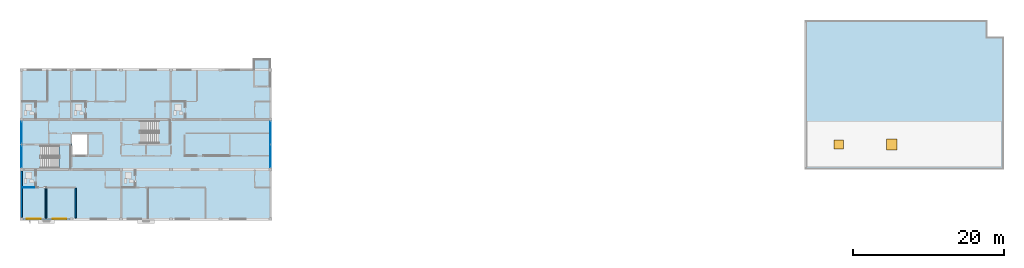
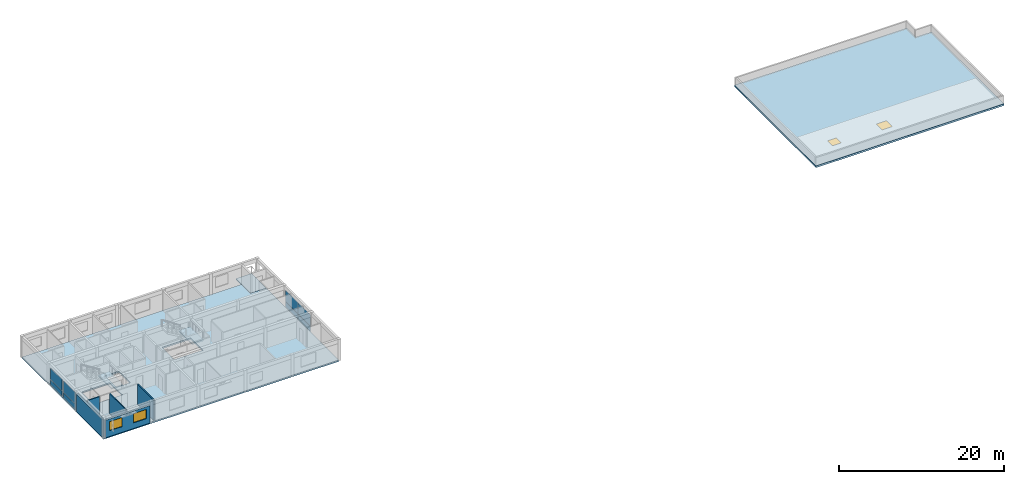
# One storey, part 7 of 15: 8 plates, 5 slabs, 5 walls, 4 windows, 4 openings, 5 elements without a shape of their own.
"""IFC4 building model written with IfcOpenShell, lengths in metres."""

from ifc_helpers import new_model, si_unit, direction, frame, frame_2d, origin, origin_2d, place, context, subcontext, project, spatial, polyline, rectangle, outline, extrude, material, layer, layer_set, type_object, element, fill, aggregate, save


model = new_model("IFC4")

# Units and contexts
model_context = context("Model", 3, precision=1e-05, world=origin(), true_north=direction((0.0, 1.0)))
body_context = subcontext(model_context, "Body", "Model", "MODEL_VIEW")
ifc_project = project(units=[si_unit("LENGTHUNIT", "METRE"), si_unit("AREAUNIT", "SQUARE_METRE"), si_unit("VOLUMEUNIT", "CUBIC_METRE"), si_unit("PLANEANGLEUNIT", "RADIAN"), si_unit("MASSUNIT", "GRAM", prefix="KILO")], contexts=[model_context])

# Site, building, storey
site_placement = place(None, origin())
site = spatial("IfcSite", under=ifc_project, at=site_placement, CompositionType="ELEMENT")
building_placement = place(site_placement, origin())
building = spatial("IfcBuilding", under=site, at=building_placement, Name="Kernevlak Ridge Housing Community", CompositionType="ELEMENT")
storey_placement = place(building_placement, frame((0.0, 0.0, 50.0)))
storey = spatial("IfcBuildingStorey", under=building, at=storey_placement, Name="L15", CompositionType="ELEMENT", Elevation=50.0)

# Curtain wall, plate
ifc_material_1 = material(Name="Aluminium EN AW-6060 anodised and laminated glass", Category="aluminium")
curtain_wall_type_1 = type_object("IfcCurtainWallType", Name="CW-01", PredefinedType="NOTDEFINED", material=ifc_material_1)
curtain_wall_1_placement = place(storey_placement, origin())
curtain_wall_1 = element("IfcCurtainWall", 1, at=curtain_wall_1_placement, inside=storey, type_object=curtain_wall_type_1, Name="Curtain wall CW-01 CW-L15-046", PredefinedType="NOTDEFINED")
ifc_material_2 = material(Name="Solar-control double glazing glass", Category="glass")
ifc_layer_1 = layer(ifc_material_2, 0.02392578125, Name="Solar-control double glazing glass")
ifc_layer_set_1 = layer_set([ifc_layer_1], Name="Solar-control double glazing glass")
plate_type_1 = type_object("IfcPlateType", Name="CP-01", PredefinedType="CURTAIN_PANEL", material=ifc_layer_set_1)
plate_1_placement = place(storey_placement, frame((15.60009765625, 84.294921875, 0.8798828125), z_axis=(0.0, 0.0, 1.0), x_axis=(0.0, 1.0, 0.0)))
plate_1 = element("IfcPlate", 2, at=plate_1_placement, type_object=plate_type_1, Name="CW-01 panel 1.2", PredefinedType="CURTAIN_PANEL", context=body_context, shape_type="SweptSolid", body=[
    extrude(rectangle(XDim=2.8701171875, YDim=0.02392578125, at=origin_2d()), origin(), (0.0, 0.0, 1.0), 1.659912109375),
])

curtain_wall_type_2 = type_object("IfcCurtainWallType", Name="CW-07", PredefinedType="NOTDEFINED", material=ifc_material_1)
curtain_wall_2_placement = place(storey_placement, origin())
curtain_wall_2 = element("IfcCurtainWall", 3, at=curtain_wall_2_placement, inside=storey, type_object=curtain_wall_type_2, Name="Curtain wall CW-07 CW-L15-047", PredefinedType="NOTDEFINED")
plate_2_placement = place(storey_placement, frame((15.60009765625, 87.5048828125, 0.88232421875), z_axis=(0.0, 0.0, 1.0), x_axis=(0.0, 1.0, 0.0)))
plate_2 = element("IfcPlate", 4, at=plate_2_placement, type_object=plate_type_1, Name="CW-07 panel 1.2", PredefinedType="CURTAIN_PANEL", context=body_context, shape_type="SweptSolid", body=[
    extrude(rectangle(XDim=2.860107421875, YDim=0.02392578125, at=origin_2d()), origin(), (0.0, 0.0, 1.0), 1.652587890625),
])

# Curtain wall, plates
curtain_wall_type_3 = type_object("IfcCurtainWallType", Name="CW-09", PredefinedType="NOTDEFINED", material=ifc_material_1)
curtain_wall_3_placement = place(storey_placement, origin())
curtain_wall_3 = element("IfcCurtainWall", 5, at=curtain_wall_3_placement, inside=storey, type_object=curtain_wall_type_3, Name="Curtain wall CW-09 CW-L15-048", PredefinedType="NOTDEFINED")
plate_3_placement = place(storey_placement, frame((48.60009765625, 84.36376953125, 0.87744140625), z_axis=(0.0, 0.0, 1.0), x_axis=(0.0, 1.0, 0.0)))
plate_3 = element("IfcPlate", 6, at=plate_3_placement, type_object=plate_type_1, Name="CW-09 panel 1.2", PredefinedType="CURTAIN_PANEL", context=body_context, shape_type="SweptSolid", body=[
    extrude(rectangle(XDim=3.017578125, YDim=0.02392578125, at=origin_2d()), origin(), (0.0, 0.0, 1.0), 1.66748046875),
])
plate_4_placement = place(storey_placement, frame((48.60009765625, 87.436279296875, 0.87744140625), z_axis=(0.0, 0.0, 1.0), x_axis=(0.0, 1.0, 0.0)))
plate_4 = element("IfcPlate", 7, at=plate_4_placement, type_object=plate_type_1, Name="CW-09 panel 2.2", PredefinedType="CURTAIN_PANEL", context=body_context, shape_type="SweptSolid", body=[
    extrude(rectangle(XDim=3.017578125, YDim=0.02392578125, at=origin_2d()), origin(), (0.0, 0.0, 1.0), 1.66748046875),
])

# Plate
ifc_material_3 = material(Name="Aluminium EN AW-5005 enamelled panel", Category="aluminium")
ifc_layer_2 = layer(ifc_material_3, 0.0380859375, Name="Aluminium EN AW-5005 enamelled panel")
ifc_layer_set_2 = layer_set([ifc_layer_2], Name="Aluminium EN AW-5005 enamelled panel")
plate_type_2 = type_object("IfcPlateType", Name="CP-04", PredefinedType="CURTAIN_PANEL", material=ifc_layer_set_2)
plate_5_placement = place(storey_placement, frame((15.60009765625, 84.294921875, 0.06005859375), z_axis=(0.0, 0.0, 1.0), x_axis=(0.0, 1.0, 0.0)))
plate_5 = element("IfcPlate", 8, at=plate_5_placement, type_object=plate_type_2, Name="CW-01 panel 1.1", PredefinedType="CURTAIN_PANEL", context=body_context, shape_type="SweptSolid", body=[
    extrude(rectangle(XDim=2.8701171875, YDim=0.0380859375, at=origin_2d()), origin(), (0.0, 0.0, 1.0), 0.760009765625),
])

aggregate(curtain_wall_1, [plate_5, plate_1])

ifc_layer_3 = layer(ifc_material_3, 0.0419921875, Name="Aluminium EN AW-5005 enamelled panel")
ifc_layer_set_3 = layer_set([ifc_layer_3], Name="Aluminium EN AW-5005 enamelled panel")
plate_type_3 = type_object("IfcPlateType", Name="CP-05", PredefinedType="CURTAIN_PANEL", material=ifc_layer_set_3)
plate_6_placement = place(storey_placement, frame((15.60009765625, 87.5048828125, 0.06494140625), z_axis=(0.0, 0.0, 1.0), x_axis=(0.0, 1.0, 0.0)))
plate_6 = element("IfcPlate", 9, at=plate_6_placement, type_object=plate_type_3, Name="CW-07 panel 1.1", PredefinedType="CURTAIN_PANEL", context=body_context, shape_type="SweptSolid", body=[
    extrude(rectangle(XDim=2.860107421875, YDim=0.0419921875, at=origin_2d()), origin(), (0.0, 0.0, 1.0), 0.75244140625),
])

aggregate(curtain_wall_2, [plate_6, plate_2])

ifc_material_4 = material(Name="Aluminium EN AW-5005 insulated panel", Category="aluminium")
ifc_layer_4 = layer(ifc_material_4, 0.0458984375, Name="Aluminium EN AW-5005 insulated panel")
ifc_layer_set_4 = layer_set([ifc_layer_4], Name="Aluminium EN AW-5005 insulated panel")
plate_type_4 = type_object("IfcPlateType", Name="CP-06", PredefinedType="CURTAIN_PANEL", material=ifc_layer_set_4)
plate_7_placement = place(storey_placement, frame((48.60009765625, 84.36376953125, 0.054931640625), z_axis=(0.0, 0.0, 1.0), x_axis=(0.0, 1.0, 0.0)))
plate_7 = element("IfcPlate", 10, at=plate_7_placement, type_object=plate_type_4, Name="CW-09 panel 1.1", PredefinedType="CURTAIN_PANEL", context=body_context, shape_type="SweptSolid", body=[
    extrude(rectangle(XDim=3.017578125, YDim=0.0458984375, at=origin_2d()), origin(), (0.0, 0.0, 1.0), 0.767578125),
])

plate_8_placement = place(storey_placement, frame((48.60009765625, 87.436279296875, 0.054931640625), z_axis=(0.0, 0.0, 1.0), x_axis=(0.0, 1.0, 0.0)))
plate_8 = element("IfcPlate", 11, at=plate_8_placement, type_object=plate_type_4, Name="CW-09 panel 2.1", PredefinedType="CURTAIN_PANEL", context=body_context, shape_type="SweptSolid", body=[
    extrude(rectangle(XDim=3.017578125, YDim=0.0458984375, at=origin_2d()), origin(), (0.0, 0.0, 1.0), 0.767578125),
])

aggregate(curtain_wall_3, [plate_7, plate_3, plate_8, plate_4])

# Slabs
ifc_material_5 = material(Name="Concrete C35/45", Category="concrete")
ifc_layer_5 = layer(ifc_material_5, 0.219970703125, Name="Concrete C35/45")
ifc_layer_set_5 = layer_set([ifc_layer_5], Name="Concrete C35/45")
slab_type_1 = type_object("IfcSlabType", Name="SL-04", PredefinedType="FLOOR", material=ifc_layer_set_5)
slab_1_placement = place(storey_placement, frame((0.0, 0.0, -0.219970703125)))
element("IfcSlab", 12, at=slab_1_placement, inside=storey, type_object=slab_type_1, Name="Block A level L15 floor slab", PredefinedType="FLOOR", context=body_context, shape_type="SweptSolid", body=[
    extrude(outline(polyline([(15.60009765625, 76.0), (48.60009765625, 76.0), (48.60009765625, 93.60009765625), (46.39990234375, 93.60009765625), (46.39990234375, 95.800048828125), (15.60009765625, 95.800048828125), (15.60009765625, 76.0)]), holes=[polyline([(18.139892578125, 85.75), (22.1201171875, 85.75), (22.1201171875, 82.75), (18.139892578125, 82.75), (18.139892578125, 85.75)]), polyline([(31.340087890625, 89.050048828125), (35.320068359375, 89.050048828125), (35.320068359375, 86.050048828125), (31.340087890625, 86.050048828125), (31.340087890625, 89.050048828125)]), polyline([(22.320068359375, 87.280029296875), (24.280029296875, 87.280029296875), (24.280029296875, 84.52001953125), (22.320068359375, 84.52001953125), (22.320068359375, 87.280029296875)])]), origin(), (0.0, 0.0, 1.0), 0.219970703125),
])
ifc_layer_6 = layer(ifc_material_5, 0.199951171875, Name="Concrete C35/45")
ifc_layer_set_6 = layer_set([ifc_layer_6], Name="Concrete C35/45")
slab_type_2 = type_object("IfcSlabType", Name="SL-05", PredefinedType="FLOOR", material=ifc_layer_set_6)
slab_2_placement = place(storey_placement, frame((0.0, 0.0, -0.199951171875)))
element("IfcSlab", 13, at=slab_2_placement, inside=storey, type_object=slab_type_2, Name="Block A L15 corner balcony deck slab", PredefinedType="FLOOR", context=body_context, shape_type="SweptSolid", body=[
    extrude(outline(polyline([(46.39990234375, 93.60009765625), (48.60009765625, 93.60009765625), (48.60009765625, 97.199951171875), (46.39990234375, 97.199951171875), (46.39990234375, 93.60009765625)])), origin(), (0.0, 0.0, 1.0), 0.199951171875),
])

# Stair, slab
stair_type = type_object("IfcStairType", Name="SR-06", PredefinedType="HALF_TURN_STAIR", material=ifc_material_5)
stair_1_placement = place(storey_placement, origin())
stair_1 = element("IfcStair", 14, at=stair_1_placement, inside=storey, type_object=stair_type, Name="Stair ST-A1 L15", PredefinedType="HALF_TURN_STAIR")
ifc_layer_7 = layer(ifc_material_5, 0.18994140625, Name="Concrete C35/45")
ifc_layer_set_7 = layer_set([ifc_layer_7], Name="Concrete C35/45")
slab_type_3 = type_object("IfcSlabType", Name="SL-13", PredefinedType="LANDING", material=ifc_layer_set_7)
slab_3_placement = place(storey_placement, frame((0.0, 0.0, 1.409912109375)))
slab_3 = element("IfcSlab", 15, at=slab_3_placement, type_object=slab_type_3, Name="SR-06 landing 1", PredefinedType="LANDING", context=body_context, shape_type="SweptSolid", body=[
    extrude(outline(polyline([(20.5400390625, 82.64990234375), (22.14990234375, 82.64990234375), (22.14990234375, 85.85009765625), (20.5400390625, 85.85009765625), (20.5400390625, 82.64990234375)])), origin(), (0.0, 0.0, 1.0), 0.190185546875),
])
aggregate(stair_1, [slab_3])

stair_2_placement = place(storey_placement, origin())
stair_2 = element("IfcStair", 16, at=stair_2_placement, inside=storey, type_object=stair_type, Name="Stair ST-A2 L15", PredefinedType="HALF_TURN_STAIR")
slab_4_placement = place(storey_placement, frame((0.0, 0.0, 1.409912109375)))
slab_4 = element("IfcSlab", 17, at=slab_4_placement, type_object=slab_type_3, Name="SR-06 landing 1", PredefinedType="LANDING", context=body_context, shape_type="SweptSolid", body=[
    extrude(outline(polyline([(33.739990234375, 85.949951171875), (35.35009765625, 85.949951171875), (35.35009765625, 89.14990234375), (33.739990234375, 89.14990234375), (33.739990234375, 85.949951171875)])), origin(), (0.0, 0.0, 1.0), 0.190185546875),
])
aggregate(stair_2, [slab_4])

# Slab, openings, windows
ifc_layer_8 = layer(ifc_material_5, 0.27001953125, Name="Concrete C35/45")
ifc_layer_set_8 = layer_set([ifc_layer_8], Name="Concrete C35/45")
slab_type_4 = type_object("IfcSlabType", Name="SL-18", PredefinedType="ROOF", material=ifc_layer_set_8)
slab_5_placement = place(storey_placement, frame((0.0, 0.0, -0.27001953125)))
slab_5 = element("IfcSlab", 18, at=slab_5_placement, inside=storey, type_object=slab_type_4, Name="Block B main flat roof slab", PredefinedType="ROOF", context=body_context, shape_type="SweptSolid", body=[
    extrude(outline(polyline([(119.39990234375, 82.60009765625), (145.800048828125, 82.60009765625), (145.800048828125, 100.199951171875), (143.60009765625, 100.199951171875), (143.60009765625, 102.39990234375), (119.39990234375, 102.39990234375), (119.39990234375, 82.60009765625)])), origin(), (0.0, 0.0, 1.0), 0.27001953125),
])
opening_1_placement = place(slab_5_placement, frame((123.89990234375, 85.89990234375, -0.010009765625)))
opening_1 = element("IfcOpeningElement", 19, at=opening_1_placement, cuts=slab_5, Name="Opening SK-01", PredefinedType="OPENING", context=body_context, shape_type="SweptSolid", body=[
    extrude(rectangle(XDim=1.199951171875, YDim=1.199951171875, at=origin_2d()), origin(), (0.0, 0.0, 1.0), 0.2900390625),
])
opening_2_placement = place(slab_5_placement, frame((130.89990234375, 85.89990234375, -0.010009765625)))
opening_2 = element("IfcOpeningElement", 20, at=opening_2_placement, cuts=slab_5, Name="Opening SK-02", PredefinedType="OPENING", context=body_context, shape_type="SweptSolid", body=[
    extrude(rectangle(XDim=1.39990234375, YDim=1.39990234375, at=origin_2d()), origin(), (0.0, 0.0, 1.0), 0.2900390625),
])
ifc_material_6 = material(Name="Aluminium EN AW-6060 and laminated skylight glass", Category="aluminium")
window_type_1 = type_object("IfcWindowType", Name="SK-01", PartitioningType="SINGLE_PANEL", PredefinedType="SKYLIGHT", material=ifc_material_6)
window_1_placement = place(slab_5_placement, frame((123.89990234375, 85.89990234375, 0.219970703125)))
window_1 = element("IfcWindow", 21, at=window_1_placement, inside=storey, type_object=window_type_1, Name="Block B roof skylight hatch 1", OverallHeight=1.199951171875, OverallWidth=1.199951171875, PartitioningType="SINGLE_PANEL", PredefinedType="SKYLIGHT", context=body_context, shape_type="SweptSolid", body=[
    extrude(rectangle(XDim=1.199951171875, YDim=1.199951171875, at=origin_2d()), origin(), (0.0, 0.0, 1.0), 0.050048828125),
])
fill(opening_1, window_1)
window_type_2 = type_object("IfcWindowType", Name="SK-02", PartitioningType="SINGLE_PANEL", PredefinedType="SKYLIGHT", material=ifc_material_6)
window_2_placement = place(slab_5_placement, frame((130.89990234375, 85.89990234375, 0.219970703125)))
window_2 = element("IfcWindow", 22, at=window_2_placement, inside=storey, type_object=window_type_2, Name="Block B roof skylight hatch 2", OverallHeight=1.39990234375, OverallWidth=1.39990234375, PartitioningType="SINGLE_PANEL", PredefinedType="SKYLIGHT", context=body_context, shape_type="SweptSolid", body=[
    extrude(rectangle(XDim=1.39990234375, YDim=1.39990234375, at=origin_2d()), origin(), (0.0, 0.0, 1.0), 0.050048828125),
])
fill(opening_2, window_2)

# Wall, openings, windows
ifc_material_7 = material(Name="Concrete block masonry M10", Category="masonry")
ifc_layer_9 = layer(ifc_material_7, 0.239990234375, Name="Concrete block masonry M10")
ifc_layer_set_9 = layer_set([ifc_layer_9], Name="Concrete block masonry M10")
wall_type_1 = type_object("IfcWallType", Name="EW-06", PredefinedType="STANDARD", material=ifc_layer_set_9)
wall_1_placement = place(storey_placement, frame((15.800048828125, 76.0, 0.0), z_axis=(0.0, 0.0, 1.0), x_axis=(1.0, 0.0, 0.0)))
wall_1 = element("IfcWall", 23, at=wall_1_placement, inside=storey, type_object=wall_type_1, Name="Exterior wall EW-06 L15 237", PredefinedType="STANDARD", context=body_context, shape_type="SweptSolid", body=[
    extrude(rectangle(XDim=6.199951171875, YDim=0.239990234375, at=frame_2d((3.10009765625, 0.0))), origin(), (0.0, 0.0, 1.0), 2.60009765625),
])
opening_3_placement = place(wall_1_placement, frame((0.52490234375, 0.0, 0.85009765625)))
opening_3 = element("IfcOpeningElement", 24, at=opening_3_placement, cuts=wall_1, Name="Opening WT-03", PredefinedType="OPENING", context=body_context, shape_type="SweptSolid", body=[
    extrude(rectangle(XDim=1.800048828125, YDim=1.35009765625, at=frame_2d((0.89990234375, 0.675048828125))), frame((0.0, 0.1298828125, 0.0), z_axis=(0.0, -1.0, 0.0), x_axis=(1.0, 0.0, 0.0)), (0.0, 0.0, 1.0), 0.260009765625),
])
opening_4_placement = place(wall_1_placement, frame((3.949951171875, 0.0, 0.85009765625)))
opening_4 = element("IfcOpeningElement", 25, at=opening_4_placement, cuts=wall_1, Name="Opening WT-03", PredefinedType="OPENING", context=body_context, shape_type="SweptSolid", body=[
    extrude(rectangle(XDim=1.800048828125, YDim=1.35009765625, at=frame_2d((0.89990234375, 0.675048828125))), frame((0.0, 0.1298828125, 0.0), z_axis=(0.0, -1.0, 0.0), x_axis=(1.0, 0.0, 0.0)), (0.0, 0.0, 1.0), 0.260009765625),
])
window_type_3 = type_object("IfcWindowType", Name="WT-03", PartitioningType="SINGLE_PANEL", PredefinedType="WINDOW", material=ifc_material_1)
window_3_placement = place(opening_3_placement, origin())
window_3 = element("IfcWindow", 26, at=window_3_placement, inside=storey, type_object=window_type_3, Name="Window WT-03 L15 187", OverallHeight=1.35009765625, OverallWidth=1.800048828125, PartitioningType="SINGLE_PANEL", PredefinedType="WINDOW", context=body_context, shape_type="SweptSolid", body=[
    extrude(rectangle(XDim=1.800048828125, YDim=1.35009765625, at=frame_2d((0.89990234375, 0.675048828125))), frame((0.0, 0.030029296875, 0.0), z_axis=(0.0, -1.0, 0.0), x_axis=(1.0, 0.0, 0.0)), (0.0, 0.0, 1.0), 0.06005859375),
])
fill(opening_3, window_3)
window_4_placement = place(opening_4_placement, origin())
window_4 = element("IfcWindow", 27, at=window_4_placement, inside=storey, type_object=window_type_3, Name="Window WT-03 L15 188", OverallHeight=1.35009765625, OverallWidth=1.800048828125, PartitioningType="SINGLE_PANEL", PredefinedType="WINDOW", context=body_context, shape_type="SweptSolid", body=[
    extrude(rectangle(XDim=1.800048828125, YDim=1.35009765625, at=frame_2d((0.89990234375, 0.675048828125))), frame((0.0, 0.030029296875, 0.0), z_axis=(0.0, -1.0, 0.0), x_axis=(1.0, 0.0, 0.0)), (0.0, 0.0, 1.0), 0.06005859375),
])
fill(opening_4, window_4)

# Walls
wall_2_placement = place(storey_placement, frame((15.60009765625, 76.199951171875, 0.0), z_axis=(0.0, 0.0, 1.0), x_axis=(0.0, 1.0, 0.0)))
element("IfcWall", 28, at=wall_2_placement, inside=storey, type_object=wall_type_1, Name="Exterior wall EW-06 L15 249", PredefinedType="STANDARD", context=body_context, shape_type="SweptSolid", body=[
    extrude(rectangle(XDim=6.199951171875, YDim=0.239990234375, at=frame_2d((3.10009765625, 0.0))), origin(), (0.0, 0.0, 1.0), 2.64990234375),
])
ifc_layer_10 = layer(ifc_material_7, 0.14501953125, Name="Concrete block masonry M10")
ifc_layer_set_10 = layer_set([ifc_layer_10], Name="Concrete block masonry M10")
wall_type_2 = type_object("IfcWallType", Name="PW-03", PredefinedType="PARTITIONING", material=ifc_layer_set_10)
wall_3_placement = place(storey_placement, frame((18.85009765625, 80.1201171875, 0.0), z_axis=(0.0, 0.0, 1.0), x_axis=(0.0, -1.0, 0.0)))
element("IfcWall", 29, at=wall_3_placement, inside=storey, type_object=wall_type_2, Name="Interior wall PW-03 WAL-INT-L15-0972", PredefinedType="PARTITIONING", context=body_context, shape_type="SweptSolid", body=[
    extrude(rectangle(XDim=3.990234375, YDim=0.14501953125, at=frame_2d((1.9951171875, 0.0))), origin(), (0.0, 0.0, 1.0), 2.97998046875),
])
wall_4_placement = place(storey_placement, frame((22.7919921875, 80.117431640625, 0.0), z_axis=(0.0, 0.0, 1.0), x_axis=(0.0, -1.0, 0.0)))
element("IfcWall", 30, at=wall_4_placement, inside=storey, type_object=wall_type_2, Name="Interior wall PW-03 WAL-INT-L15-0974", PredefinedType="PARTITIONING", context=body_context, shape_type="SweptSolid", body=[
    extrude(rectangle(XDim=3.987548828125, YDim=0.14501953125, at=frame_2d((1.99365234375, 0.0))), origin(), (0.0, 0.0, 1.0), 2.97998046875),
])
ifc_material_8 = material(Name="Gypsum plasterboard EN 520", Category="gypsum")
ifc_layer_11 = layer(ifc_material_8, 0.125, Name="Gypsum plasterboard EN 520")
ifc_layer_set_11 = layer_set([ifc_layer_11], Name="Gypsum plasterboard EN 520")
wall_type_3 = type_object("IfcWallType", Name="PW-04", PredefinedType="PARTITIONING", material=ifc_layer_set_11)
wall_5_placement = place(storey_placement, frame((15.72998046875, 80.199951171875, 0.0), z_axis=(0.0, 0.0, 1.0), x_axis=(1.0, 0.0, 0.0)))
element("IfcWall", 31, at=wall_5_placement, inside=storey, type_object=wall_type_3, Name="Interior wall PW-04 WAL-INT-L15-0968", PredefinedType="PARTITIONING", context=body_context, shape_type="SweptSolid", body=[
    extrude(rectangle(XDim=1.68994140625, YDim=0.125, at=frame_2d((0.844970703125, 0.0))), origin(), (0.0, 0.0, 1.0), 2.97998046875),
])

save(model, "model.ifc")
